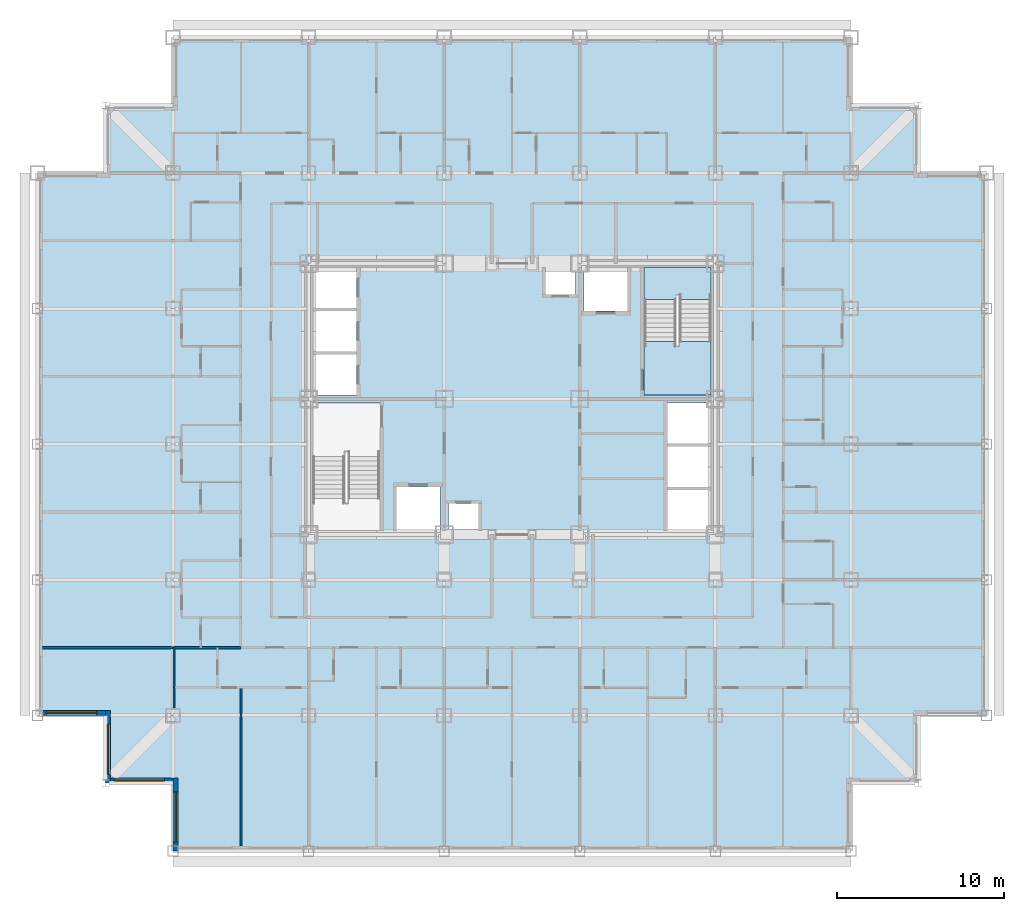
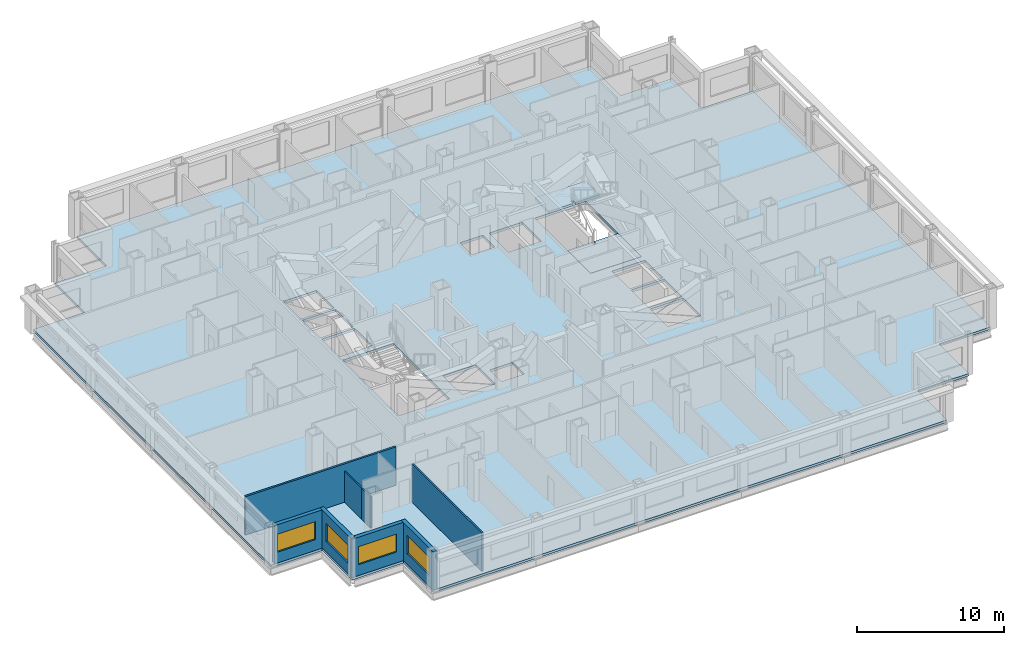
# One storey, part 3 of 12: 8 walls, 4 windows, 3 slabs, 4 openings, 1 element without a shape of its own.
"""IFC4 building model written with IfcOpenShell, lengths in metres."""

from ifc_helpers import new_model, si_unit, direction, frame, frame_2d, origin, place, context, subcontext, project, spatial, polyline, rectangle, outline, extrude, material, layer, layer_set, type_object, element, fill, aggregate, save


model = new_model("IFC4")

# Units and contexts
model_context = context("Model", 3, precision=1e-05, world=origin(), true_north=direction((0.0, 1.0)))
body_context = subcontext(model_context, "Body", "Model", "MODEL_VIEW")
ifc_project = project(units=[si_unit("LENGTHUNIT", "METRE"), si_unit("AREAUNIT", "SQUARE_METRE"), si_unit("VOLUMEUNIT", "CUBIC_METRE"), si_unit("PLANEANGLEUNIT", "RADIAN"), si_unit("MASSUNIT", "GRAM", prefix="KILO")], contexts=[model_context])

# Site, building, storey
site_placement = place(None, origin())
site = spatial("IfcSite", under=ifc_project, at=site_placement, CompositionType="ELEMENT")
building_placement = place(site_placement, origin())
building = spatial("IfcBuilding", under=site, at=building_placement, Name="Kopane Lantern Tower", CompositionType="ELEMENT")
storey_placement = place(building_placement, frame((0.0, 0.0, 117.0)))
storey = spatial("IfcBuildingStorey", under=building, at=storey_placement, Name="L29", CompositionType="ELEMENT", Elevation=117.0)

# Slab
ifc_material_1 = material(Name="Concrete C40/50", Category="concrete")
ifc_layer_1 = layer(ifc_material_1, 0.2099609375)
ifc_layer_set_1 = layer_set([ifc_layer_1], Name="SLAB 210 COMPOSITE")
slab_type_1 = type_object("IfcSlabType", Name="SLAB 210 COMPOSITE", PredefinedType="FLOOR", material=ifc_layer_set_1)
slab_1_placement = place(storey_placement, frame((0.0, 0.0, -0.2099609375)))
element("IfcSlab", 1, at=slab_1_placement, inside=storey, type_object=slab_type_1, Name="Floor slab L29", PredefinedType="FLOOR", context=body_context, shape_type="SweptSolid", body=[
    extrude(outline(polyline([(8.10009765625, 5.39990234375), (48.60009765625, 5.39990234375), (48.60009765625, 9.449951171875), (52.64990234375, 9.449951171875), (52.64990234375, 13.5), (56.699951171875, 13.5), (56.699951171875, 45.89990234375), (52.64990234375, 45.89990234375), (52.64990234375, 49.949951171875), (48.60009765625, 49.949951171875), (48.60009765625, 54.0), (8.10009765625, 54.0), (8.10009765625, 49.949951171875), (4.050048828125, 49.949951171875), (4.050048828125, 45.89990234375), (0.0, 45.89990234375), (0.0, 13.5), (4.050048828125, 13.5), (4.050048828125, 9.449951171875), (8.10009765625, 9.449951171875), (8.10009765625, 5.39990234375)]), holes=[polyline([(16.449951171875, 24.550048828125), (20.449951171875, 24.550048828125), (20.449951171875, 32.14990234375), (16.449951171875, 32.14990234375), (16.449951171875, 24.550048828125)]), polyline([(36.25, 32.64990234375), (40.25, 32.64990234375), (40.25, 40.25), (36.25, 40.25), (36.25, 32.64990234375)]), polyline([(16.449951171875, 32.64990234375), (19.050048828125, 32.64990234375), (19.050048828125, 35.050048828125), (16.449951171875, 35.050048828125), (16.449951171875, 32.64990234375)]), polyline([(16.449951171875, 35.25), (19.050048828125, 35.25), (19.050048828125, 37.64990234375), (16.449951171875, 37.64990234375), (16.449951171875, 35.25)]), polyline([(16.449951171875, 37.85009765625), (19.050048828125, 37.85009765625), (19.050048828125, 40.25), (16.449951171875, 40.25), (16.449951171875, 37.85009765625)]), polyline([(37.64990234375, 24.550048828125), (40.25, 24.550048828125), (40.25, 26.949951171875), (37.64990234375, 26.949951171875), (37.64990234375, 24.550048828125)]), polyline([(37.64990234375, 27.14990234375), (40.25, 27.14990234375), (40.25, 29.550048828125), (37.64990234375, 29.550048828125), (37.64990234375, 27.14990234375)]), polyline([(37.64990234375, 29.75), (40.25, 29.75), (40.25, 32.14990234375), (37.64990234375, 32.14990234375), (37.64990234375, 29.75)]), polyline([(21.449951171875, 24.550048828125), (24.050048828125, 24.550048828125), (24.050048828125, 27.14990234375), (21.449951171875, 27.14990234375), (21.449951171875, 24.550048828125)]), polyline([(32.64990234375, 37.64990234375), (35.25, 37.64990234375), (35.25, 40.25), (32.64990234375, 40.25), (32.64990234375, 37.64990234375)]), polyline([(24.550048828125, 24.550048828125), (26.35009765625, 24.550048828125), (26.35009765625, 26.14990234375), (24.550048828125, 26.14990234375), (24.550048828125, 24.550048828125)]), polyline([(30.35009765625, 38.64990234375), (32.14990234375, 38.64990234375), (32.14990234375, 40.25), (30.35009765625, 40.25), (30.35009765625, 38.64990234375)])]), origin(), (0.0, 0.0, 1.0), 0.2099609375),
])

# Stair, slabs
ifc_material_2 = material(Name="Steel S355JR", Category="steel")
stair_type = type_object("IfcStairType", Name="EXIT STAIR 1900 HALF TURN", PredefinedType="HALF_TURN_STAIR", material=ifc_material_2)
stair_placement = place(storey_placement, origin())
stair = element("IfcStair", 2, at=stair_placement, inside=storey, type_object=stair_type, Name="Exit stair ST2 L29", PredefinedType="HALF_TURN_STAIR")
ifc_material_3 = material(Name="Concrete C40/50", Category="concrete")
ifc_layer_2 = layer(ifc_material_3, 0.199951171875)
ifc_layer_set_2 = layer_set([ifc_layer_2], Name="STAIR LANDING 200")
slab_type_2 = type_object("IfcSlabType", Name="STAIR LANDING 200", PredefinedType="LANDING", material=ifc_layer_set_2)
slab_2_placement = place(storey_placement, frame((0.0, 0.0, -0.199951171875)))
slab_2 = element("IfcSlab", 3, at=slab_2_placement, type_object=slab_type_2, Name="ST2 landing 1", PredefinedType="LANDING", context=body_context, shape_type="SweptSolid", body=[
    extrude(outline(polyline([(40.25, 35.830078125), (38.35009765625, 35.830078125), (38.35009765625, 35.550048828125), (38.14990234375, 35.550048828125), (38.14990234375, 35.830078125), (36.25, 35.830078125), (36.25, 32.64990234375), (40.25, 32.64990234375), (40.25, 35.830078125)])), origin(), (0.0, 0.0, 1.0), 0.199951171875),
])
slab_3_placement = place(storey_placement, frame((0.0, 0.0, 1.5)))
slab_3 = element("IfcSlab", 4, at=slab_3_placement, type_object=slab_type_2, Name="ST2 landing 2", PredefinedType="LANDING", context=body_context, shape_type="SweptSolid", body=[
    extrude(outline(polyline([(38.14990234375, 38.6298828125), (38.35009765625, 38.6298828125), (38.35009765625, 38.35009765625), (40.25, 38.35009765625), (40.25, 40.25), (36.25, 40.25), (36.25, 38.35009765625), (38.14990234375, 38.35009765625), (38.14990234375, 38.6298828125)])), origin(), (0.0, 0.0, 1.0), 0.199951171875),
])
aggregate(stair, [slab_2, slab_3])

# Walls
ifc_material_4 = material(Name="Gypsum board on steel studs", Category="steel")
ifc_layer_3 = layer(ifc_material_4, 0.1201171875)
ifc_layer_set_3 = layer_set([ifc_layer_3], Name="APARTMENT INTERNAL WALL 120")
wall_type_1 = type_object("IfcWallType", Name="APARTMENT INTERNAL WALL 120", PredefinedType="PARTITIONING", material=ifc_layer_set_3)
wall_1_placement = place(storey_placement, frame((12.14990234375, 15.14990234375, 0.0), z_axis=(0.0, 0.0, 1.0), x_axis=(0.0, -1.0, 0.0)))
element("IfcWall", 5, at=wall_1_placement, inside=storey, type_object=wall_type_1, Name="Apartment Internal Wall 120 L29", PredefinedType="PARTITIONING", context=body_context, shape_type="SweptSolid", body=[
    extrude(rectangle(XDim=9.449951171875, YDim=0.1201171875, at=frame_2d((4.72509765625, 0.0))), origin(), (0.0, 0.0, 1.0), 3.18994140625),
])
wall_2_placement = place(storey_placement, frame((8.14990234375, 15.14990234375, 0.0), z_axis=(0.0, 0.0, 1.0), x_axis=(0.0, -1.0, 0.0)))
element("IfcWall", 6, at=wall_2_placement, inside=storey, type_object=wall_type_1, Name="Apartment Internal Wall 120 L29", PredefinedType="PARTITIONING", context=body_context, shape_type="SweptSolid", body=[
    extrude(rectangle(XDim=1.199951171875, YDim=0.1201171875, at=frame_2d((0.60009765625, 0.0))), origin(), (0.0, 0.0, 1.0), 2.577880859375),
])
ifc_material_5 = material(Name="Moisture-resistant board on steel studs", Category="steel")
ifc_layer_4 = layer(ifc_material_5, 0.10009765625)
ifc_layer_set_4 = layer_set([ifc_layer_4], Name="BATHROOM WALL 100")
wall_type_2 = type_object("IfcWallType", Name="BATHROOM WALL 100", PredefinedType="PARTITIONING", material=ifc_layer_set_4)
wall_3_placement = place(storey_placement, frame((8.14990234375, 17.550048828125, 0.0), z_axis=(0.0, 0.0, 1.0), x_axis=(0.0, -1.0, 0.0)))
element("IfcWall", 7, at=wall_3_placement, inside=storey, type_object=wall_type_2, Name="Bathroom Wall 100 L29", PredefinedType="PARTITIONING", context=body_context, shape_type="SweptSolid", body=[
    extrude(rectangle(XDim=2.400146484375, YDim=0.10009765625, at=frame_2d((1.2001953125, 0.0))), origin(), (0.0, 0.0, 1.0), 2.577880859375),
])
ifc_material_6 = material(Name="Gypsum board on steel studs", Category="steel")
ifc_layer_5 = layer(ifc_material_6, 0.14990234375)
ifc_layer_set_5 = layer_set([ifc_layer_5], Name="DEMISING WALL 150 EI 60")
wall_type_3 = type_object("IfcWallType", Name="DEMISING WALL 150 EI 60", PredefinedType="PARTITIONING", material=ifc_layer_set_5)
wall_4_placement = place(storey_placement, frame((0.300048828125, 17.550048828125, 0.0), z_axis=(0.0, 0.0, 1.0), x_axis=(1.0, 0.0, 0.0)))
element("IfcWall", 8, at=wall_4_placement, inside=storey, type_object=wall_type_3, Name="Demising Wall 150 Ei 60 L29", PredefinedType="PARTITIONING", context=body_context, shape_type="SweptSolid", body=[
    extrude(rectangle(XDim=11.849853515625, YDim=0.14990234375, at=frame_2d((5.9248046875, 0.0))), origin(), (0.0, 0.0, 1.0), 3.18994140625),
])

# Wall, opening, window
ifc_material_7 = material(Name="Terracotta rainscreen on light steel framing", Category="masonry")
ifc_layer_6 = layer(ifc_material_7, 0.300048828125)
ifc_layer_set_6 = layer_set([ifc_layer_6], Name="EXTERNAL WALL EW1 300 TERRACOTTA")
wall_type_4 = type_object("IfcWallType", Name="EXTERNAL WALL EW1 300 TERRACOTTA", PredefinedType="SOLIDWALL", material=ifc_layer_set_6)
wall_5_placement = place(storey_placement, frame((0.300048828125, 13.64990234375, 0.0), z_axis=(0.0, 0.0, 1.0), x_axis=(1.0, 0.0, 0.0)))
wall_5 = element("IfcWall", 9, at=wall_5_placement, inside=storey, type_object=wall_type_4, Name="External wall S L29", PredefinedType="SOLIDWALL", context=body_context, shape_type="SweptSolid", body=[
    extrude(rectangle(XDim=3.75, YDim=0.300048828125, at=frame_2d((1.875, 0.0))), origin(), (0.0, 0.0, 1.0), 3.18994140625),
])
opening_1_placement = place(wall_5_placement, frame((0.22509765625, 0.0, 0.89990234375)))
opening_1 = element("IfcOpeningElement", 10, at=opening_1_placement, cuts=wall_5, Name="Opening WR300150", PredefinedType="OPENING", context=body_context, shape_type="SweptSolid", body=[
    extrude(rectangle(XDim=3.0, YDim=1.5, at=frame_2d((1.5, 0.75))), frame((0.0, 0.159912109375, 0.0), z_axis=(0.0, -1.0, 0.0), x_axis=(1.0, 0.0, 0.0)), (0.0, 0.0, 1.0), 0.320068359375),
])
ifc_material_8 = material(Name="Aluminium and clear glass", Category="aluminium")
window_type = type_object("IfcWindowType", Name="RIBBON WINDOW WR300150 3000x1500", PartitioningType="SINGLE_PANEL", PredefinedType="WINDOW", material=ifc_material_8)
window_1_placement = place(opening_1_placement, origin())
window_1 = element("IfcWindow", 11, at=window_1_placement, inside=storey, type_object=window_type, Name="Window S L29", OverallHeight=1.5, OverallWidth=3.0, PartitioningType="SINGLE_PANEL", PredefinedType="WINDOW", context=body_context, shape_type="SweptSolid", body=[
    extrude(rectangle(XDim=3.0, YDim=1.5, at=frame_2d((1.5, 0.75))), frame((0.0, 0.030029296875, 0.0), z_axis=(0.0, -1.0, 0.0), x_axis=(1.0, 0.0, 0.0)), (0.0, 0.0, 1.0), 0.06005859375),
])
fill(opening_1, window_1)

wall_6_placement = place(storey_placement, frame((4.199951171875, 13.800048828125, 0.0), z_axis=(0.0, 0.0, 1.0), x_axis=(0.0, -1.0, 0.0)))
wall_6 = element("IfcWall", 12, at=wall_6_placement, inside=storey, type_object=wall_type_4, Name="External wall W L29", PredefinedType="SOLIDWALL", context=body_context, shape_type="SweptSolid", body=[
    extrude(rectangle(XDim=4.35009765625, YDim=0.300048828125, at=frame_2d((2.175048828125, 0.0))), origin(), (0.0, 0.0, 1.0), 3.18994140625),
])
opening_2_placement = place(wall_6_placement, frame((0.824951171875, 0.0, 0.89990234375)))
opening_2 = element("IfcOpeningElement", 13, at=opening_2_placement, cuts=wall_6, Name="Opening WR300150", PredefinedType="OPENING", context=body_context, shape_type="SweptSolid", body=[
    extrude(rectangle(XDim=3.0, YDim=1.5, at=frame_2d((1.5, 0.75))), frame((0.0, 0.159912109375, 0.0), z_axis=(0.0, -1.0, 0.0), x_axis=(1.0, 0.0, 0.0)), (0.0, 0.0, 1.0), 0.320068359375),
])
window_2_placement = place(opening_2_placement, origin())
window_2 = element("IfcWindow", 14, at=window_2_placement, inside=storey, type_object=window_type, Name="Window W L29", OverallHeight=1.5, OverallWidth=3.0, PartitioningType="SINGLE_PANEL", PredefinedType="WINDOW", context=body_context, shape_type="SweptSolid", body=[
    extrude(rectangle(XDim=3.0, YDim=1.5, at=frame_2d((1.5, 0.75))), frame((0.0, 0.030029296875, 0.0), z_axis=(0.0, -1.0, 0.0), x_axis=(1.0, 0.0, 0.0)), (0.0, 0.0, 1.0), 0.06005859375),
])
fill(opening_2, window_2)

wall_7_placement = place(storey_placement, frame((4.35009765625, 9.60009765625, 0.0), z_axis=(0.0, 0.0, 1.0), x_axis=(1.0, 0.0, 0.0)))
wall_7 = element("IfcWall", 15, at=wall_7_placement, inside=storey, type_object=wall_type_4, Name="External wall S L29", PredefinedType="SOLIDWALL", context=body_context, shape_type="SweptSolid", body=[
    extrude(rectangle(XDim=3.75, YDim=0.300048828125, at=frame_2d((1.875, 0.0))), origin(), (0.0, 0.0, 1.0), 3.18994140625),
])
opening_3_placement = place(wall_7_placement, frame((0.22509765625, 0.0, 0.89990234375)))
opening_3 = element("IfcOpeningElement", 16, at=opening_3_placement, cuts=wall_7, Name="Opening WR300150", PredefinedType="OPENING", context=body_context, shape_type="SweptSolid", body=[
    extrude(rectangle(XDim=3.0, YDim=1.5, at=frame_2d((1.5, 0.75))), frame((0.0, 0.159912109375, 0.0), z_axis=(0.0, -1.0, 0.0), x_axis=(1.0, 0.0, 0.0)), (0.0, 0.0, 1.0), 0.320068359375),
])
window_3_placement = place(opening_3_placement, origin())
window_3 = element("IfcWindow", 17, at=window_3_placement, inside=storey, type_object=window_type, Name="Window S L29", OverallHeight=1.5, OverallWidth=3.0, PartitioningType="SINGLE_PANEL", PredefinedType="WINDOW", context=body_context, shape_type="SweptSolid", body=[
    extrude(rectangle(XDim=3.0, YDim=1.5, at=frame_2d((1.5, 0.75))), frame((0.0, 0.030029296875, 0.0), z_axis=(0.0, -1.0, 0.0), x_axis=(1.0, 0.0, 0.0)), (0.0, 0.0, 1.0), 0.06005859375),
])
fill(opening_3, window_3)

wall_8_placement = place(storey_placement, frame((8.25, 9.75, 0.0), z_axis=(0.0, 0.0, 1.0), x_axis=(0.0, -1.0, 0.0)))
wall_8 = element("IfcWall", 18, at=wall_8_placement, inside=storey, type_object=wall_type_4, Name="External wall W L29", PredefinedType="SOLIDWALL", context=body_context, shape_type="SweptSolid", body=[
    extrude(rectangle(XDim=4.35009765625, YDim=0.300048828125, at=frame_2d((2.175048828125, 0.0))), origin(), (0.0, 0.0, 1.0), 3.18994140625),
])
opening_4_placement = place(wall_8_placement, frame((0.824951171875, 0.0, 0.89990234375)))
opening_4 = element("IfcOpeningElement", 19, at=opening_4_placement, cuts=wall_8, Name="Opening WR300150", PredefinedType="OPENING", context=body_context, shape_type="SweptSolid", body=[
    extrude(rectangle(XDim=3.0, YDim=1.5, at=frame_2d((1.5, 0.75))), frame((0.0, 0.159912109375, 0.0), z_axis=(0.0, -1.0, 0.0), x_axis=(1.0, 0.0, 0.0)), (0.0, 0.0, 1.0), 0.320068359375),
])
window_4_placement = place(opening_4_placement, origin())
window_4 = element("IfcWindow", 20, at=window_4_placement, inside=storey, type_object=window_type, Name="Window W L29", OverallHeight=1.5, OverallWidth=3.0, PartitioningType="SINGLE_PANEL", PredefinedType="WINDOW", context=body_context, shape_type="SweptSolid", body=[
    extrude(rectangle(XDim=3.0, YDim=1.5, at=frame_2d((1.5, 0.75))), frame((0.0, 0.030029296875, 0.0), z_axis=(0.0, -1.0, 0.0), x_axis=(1.0, 0.0, 0.0)), (0.0, 0.0, 1.0), 0.06005859375),
])
fill(opening_4, window_4)

save(model, "model.ifc")
